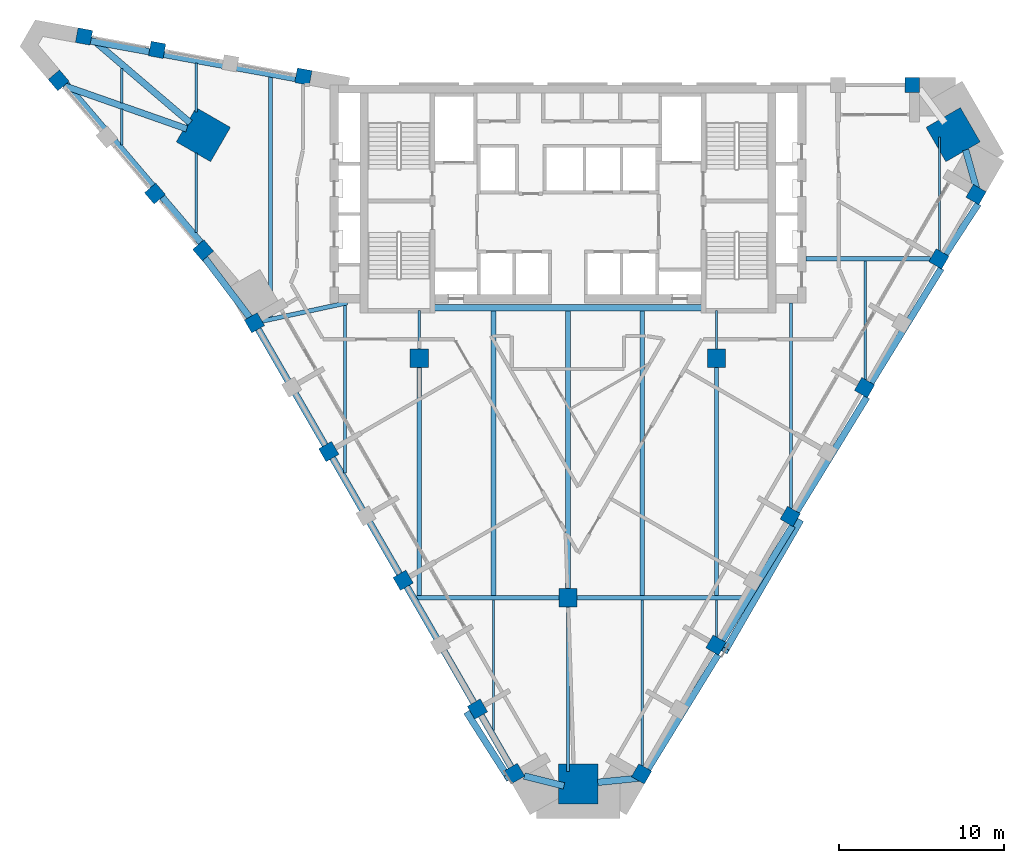
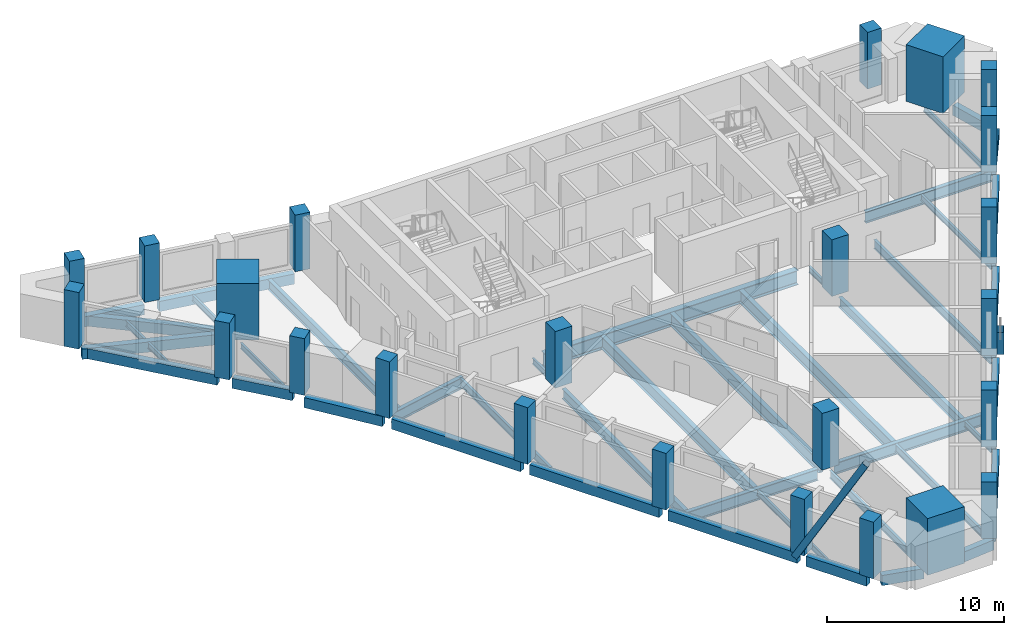
# One storey, part 1 of 9: 44 beams, 24 columns, 2 members.
"""IFC4 building model written with IfcOpenShell, lengths in metres."""

from ifc_helpers import new_model, si_unit, direction, frame, origin, origin_2d, place, context, subcontext, project, spatial, rectangle, hollow_rectangle, i_section, extrude, material, material_profile, profile_set, type_object, element, save


model = new_model("IFC4")

# Units and contexts
model_context = context("Model", 3, precision=1e-05, world=origin(), true_north=direction((0.0, 1.0)))
body_context = subcontext(model_context, "Body", "Model", "MODEL_VIEW")
ifc_project = project(units=[si_unit("LENGTHUNIT", "METRE"), si_unit("AREAUNIT", "SQUARE_METRE"), si_unit("VOLUMEUNIT", "CUBIC_METRE"), si_unit("PLANEANGLEUNIT", "RADIAN"), si_unit("MASSUNIT", "GRAM", prefix="KILO")], contexts=[model_context])

# Site, building, storey
site_placement = place(None, origin())
site = spatial("IfcSite", under=ifc_project, at=site_placement, CompositionType="ELEMENT")
building_placement = place(site_placement, origin())
building = spatial("IfcBuilding", under=site, at=building_placement, Name="Calabash Gate Tower", CompositionType="ELEMENT")
storey_placement = place(building_placement, frame((0.0, 0.0, 219.800048828125)))
storey = spatial("IfcBuildingStorey", under=building, at=storey_placement, Name="L52", CompositionType="ELEMENT", Elevation=219.800048828125)

# Columns
ifc_material_1 = material(Name="Concrete C60/75", Category="concrete")
ifc_material_profile_1 = material_profile(ifc_material_1, rectangle(XDim=1.10009765625, YDim=1.10009765625, at=origin_2d()))
ifc_profile_set_1 = profile_set([ifc_material_profile_1], Name="Concrete C60/75")
column_type_1 = type_object("IfcColumnType", Name="Interior column RC 1100x1100 Concrete C60/75", PredefinedType="COLUMN", material=ifc_profile_set_1)
for number, where, z_axis, x_axis, name in (
    (1, (-9.0, 2.5, 0.0), (0.0, 0.0, 1.0), (1.0, 0.0, 0.0), "Interior column L52 I0"),
    (2, (9.0, 2.5, 0.0), (0.0, 0.0, 1.0), (1.0, 0.0, 0.0), "Interior column L52 I1"),
    (3, (0.0, -12.0, 0.0), (0.0, 0.0, 1.0), (1.0, 0.0, 0.0), "Interior column L52 I2"),
):
    element("IfcColumn", number, at=place(storey_placement, frame(where, z_axis=z_axis, x_axis=x_axis)), inside=storey, type_object=column_type_1, Name=name, PredefinedType="COLUMN", context=body_context, shape_type="SweptSolid", body=[
        extrude(rectangle(XDim=1.10009765625, YDim=1.10009765625, at=origin_2d()), origin(), (0.0, 0.0, 1.0), 3.89990234375),
    ])
ifc_material_2 = material(Name="Concrete C70/85", Category="concrete")
ifc_material_profile_2 = material_profile(ifc_material_2, rectangle(XDim=2.39990234375, YDim=2.39990234375, at=origin_2d()))
ifc_profile_set_2 = profile_set([ifc_material_profile_2], Name="Concrete C70/85")
column_type_2 = type_object("IfcColumnType", Name="Mega column RC 2400x2400 Concrete C70/85", PredefinedType="COLUMN", material=ifc_profile_set_2)
for number, where, z_axis, x_axis, name in (
    (4, (-22.070068359375, 16.0380859375, 0.0), (0.0, 0.0, 1.0), (0.866025421238, -0.49999996977, 0.0), "Mega column L52 NW"),
    (5, (23.321044921875, 16.0380859375, 0.0), (0.0, 0.0, 1.0), (-0.866025421238, -0.49999996977, 0.0), "Mega column L52 NE"),
    (6, (0.6259765625, -23.27197265625, 0.0), (0.0, 0.0, 1.0), (0.0, 1.0, 0.0), "Mega column L52 S"),
):
    element("IfcColumn", number, at=place(storey_placement, frame(where, z_axis=z_axis, x_axis=x_axis)), inside=storey, type_object=column_type_2, Name=name, PredefinedType="COLUMN", context=body_context, shape_type="SweptSolid", body=[
        extrude(rectangle(XDim=2.39990234375, YDim=2.39990234375, at=origin_2d()), origin(), (0.0, 0.0, 1.0), 3.89990234375),
    ])
ifc_material_3 = material(Name="Concrete C60/75", Category="concrete")
ifc_material_profile_3 = material_profile(ifc_material_3, rectangle(XDim=0.89990234375, YDim=0.89990234375, at=origin_2d()))
ifc_profile_set_3 = profile_set([ifc_material_profile_3], Name="Concrete C60/75")
column_type_3 = type_object("IfcColumnType", Name="Perimeter column RC 900x900 Concrete C60/75", PredefinedType="COLUMN", material=ifc_profile_set_3)
for number, where, z_axis, x_axis, name in (
    (7, (-18.97412109375, 4.64599609375, 0.0), (0.0, 0.0, 1.0), (0.5, -0.866025403784, 0.0), "Perimeter column L52 P00"),
    (8, (-14.47412109375, -3.14794921875, 0.0), (0.0, 0.0, 1.0), (0.5, -0.866025403784, 0.0), "Perimeter column L52 P01"),
    (9, (-9.97412109375, -10.94189453125, 0.0), (0.0, 0.0, 1.0), (0.5, -0.866025403784, 0.0), "Perimeter column L52 P02"),
    (10, (-5.47412109375, -18.736083984375, 0.0), (0.0, 0.0, 1.0), (0.5, -0.866025403784, 0.0), "Perimeter column L52 P03"),
    (11, (-3.22412109375, -22.633056640625, 0.0), (0.0, 0.0, 1.0), (0.5, -0.866025403784, 0.0), "Perimeter column L52 P25"),
    (12, (4.458984375, -22.660888671875, 0.0), (0.0, 0.0, 1.0), (0.5, 0.866025403784, 0.0), "Perimeter column L52 P08"),
    (13, (8.958984375, -14.866943359375, 0.0), (0.0, 0.0, 1.0), (0.5, 0.866025403784, 0.0), "Perimeter column L52 P09"),
    (14, (13.458984375, -7.072998046875, 0.0), (0.0, 0.0, 1.0), (0.5, 0.866025403784, 0.0), "Perimeter column L52 P10"),
    (15, (17.958984375, 0.721923828125, 0.0), (0.0, 0.0, 1.0), (0.5, 0.866025403784, 0.0), "Perimeter column L52 P11"),
    (16, (22.458984375, 8.51611328125, 0.0), (0.0, 0.0, 1.0), (0.5, 0.866025403784, 0.0), "Perimeter column L52 P12"),
    (17, (24.708984375, 12.4130859375, 0.0), (0.0, 0.0, 1.0), (0.5, 0.866025403784, 0.0), "Perimeter column L52 P13"),
    (18, (20.843994140625, 19.052978515625, 0.0), (0.0, 0.0, 1.0), (-1.0, 0.0, 0.0), "Perimeter column L52 P24"),
    (19, (-16.012939453125, 19.551025390625, 0.0), (0.0, 0.0, 1.0), (-0.983669930074, 0.179981856499, 0.0), "Perimeter column L52 P31"),
    (20, (-24.865966796875, 21.1708984375, 0.0), (0.0, 0.0, 1.0), (-0.983669930074, 0.179981856499, 0.0), "Perimeter column L52 P32"),
    (21, (-29.29296875, 21.97998046875, 0.0), (0.0, 0.0, 1.0), (-0.983669930074, 0.179981856499, 0.0), "Perimeter column L52 P33"),
    (22, (-30.827880859375, 19.322021484375, 0.0), (0.0, 0.0, 1.0), (0.647703824985, -0.761892220133, 0.0), "Perimeter column L52 P34"),
    (23, (-24.998046875, 12.467041015625, 0.0), (0.0, 0.0, 1.0), (0.647703824985, -0.761892220133, 0.0), "Perimeter column L52 P20"),
    (24, (-22.083984375, 9.037109375, 0.0), (0.0, 0.0, 1.0), (0.647703824985, -0.761892220133, 0.0), "Perimeter column L52 P35"),
):
    element("IfcColumn", number, at=place(storey_placement, frame(where, z_axis=z_axis, x_axis=x_axis)), inside=storey, type_object=column_type_3, Name=name, PredefinedType="COLUMN", context=body_context, shape_type="SweptSolid", body=[
        extrude(rectangle(XDim=0.89990234375, YDim=0.89990234375, at=origin_2d()), origin(), (0.0, 0.0, 1.0), 3.89990234375),
    ])

# Beams
ifc_material_4 = material(Name="Concrete C50/60", Category="concrete")
ifc_material_profile_4 = material_profile(ifc_material_4, rectangle(XDim=0.39990234375, YDim=0.699951171875, at=origin_2d()))
ifc_profile_set_4 = profile_set([ifc_material_profile_4], Name="Concrete C50/60")
beam_type_1 = type_object("IfcBeamType", Name="Edge beam RC 400x700 Concrete C50/60", PredefinedType="BEAM", material=ifc_profile_set_4)
beam_1_placement = place(storey_placement, frame((-14.260986328125, -3.51611328125, -0.52001953125), z_axis=(0.50008326424, -0.865977325816, 0.0), x_axis=(0.865977325816, 0.50008326424, 0.0)))
element("IfcBeam", 25, at=beam_1_placement, inside=storey, type_object=beam_type_1, Name="Edge beam L52 1", PredefinedType="BEAM", context=body_context, shape_type="SweptSolid", body=[
    extrude(rectangle(XDim=0.39990234375, YDim=0.699951171875, at=origin_2d()), origin(), (0.0, 0.0, 1.0), 8.41455078125),
])
beam_2_placement = place(storey_placement, frame((-9.760986328125, -11.31005859375, -0.52001953125), z_axis=(0.49997020258, -0.86604260665, 0.0), x_axis=(0.86604260665, 0.49997020258, 0.0)))
element("IfcBeam", 26, at=beam_2_placement, inside=storey, type_object=beam_type_1, Name="Edge beam L52 2", PredefinedType="BEAM", context=body_context, shape_type="SweptSolid", body=[
    extrude(rectangle(XDim=0.39990234375, YDim=0.699951171875, at=origin_2d()), origin(), (0.0, 0.0, 1.0), 8.41650390625),
])
beam_3_placement = place(storey_placement, frame((-5.260986328125, -19.10400390625, -0.52001953125), z_axis=(0.49981236974, -0.866133705068, 0.0), x_axis=(0.866133705068, 0.49981236974, 0.0)))
element("IfcBeam", 27, at=beam_3_placement, inside=storey, type_object=beam_type_1, Name="Edge beam L52 3", PredefinedType="BEAM", context=body_context, shape_type="SweptSolid", body=[
    extrude(rectangle(XDim=0.39990234375, YDim=0.699951171875, at=origin_2d()), origin(), (0.0, 0.0, 1.0), 3.91748046875),
])
beam_4_placement = place(storey_placement, frame((-2.64111328125, -22.7890625, -0.52001953125), z_axis=(0.970258111546, -0.242072710109, 0.0), x_axis=(0.242072710109, 0.970258111546, 0.0)))
element("IfcBeam", 28, at=beam_4_placement, inside=storey, type_object=beam_type_1, Name="Edge beam L52 4", PredefinedType="BEAM", context=body_context, shape_type="SweptSolid", body=[
    extrude(rectangle(XDim=0.39990234375, YDim=0.699951171875, at=origin_2d()), origin(), (0.0, 0.0, 1.0), 2.48193359375),
])
beam_5_placement = place(storey_placement, frame((1.802978515625, -23.173095703125, -0.52001953125), z_axis=(0.994956996176, 0.100302421506, 0.0), x_axis=(-0.100302421506, 0.994956996176, 0.0)))
element("IfcBeam", 29, at=beam_5_placement, inside=storey, type_object=beam_type_1, Name="Edge beam L52 5", PredefinedType="BEAM", context=body_context, shape_type="SweptSolid", body=[
    extrude(rectangle(XDim=0.39990234375, YDim=0.699951171875, at=origin_2d()), origin(), (0.0, 0.0, 1.0), 2.7236328125),
])
beam_6_placement = place(storey_placement, frame((4.8369140625, -22.383056640625, -0.52001953125), z_axis=(0.522914785384, 0.852384964219, 0.0), x_axis=(-0.852384964219, 0.522914785384, 0.0)))
element("IfcBeam", 30, at=beam_6_placement, inside=storey, type_object=beam_type_1, Name="Edge beam L52 6", PredefinedType="BEAM", context=body_context, shape_type="SweptSolid", body=[
    extrude(rectangle(XDim=0.39990234375, YDim=0.699951171875, at=origin_2d()), origin(), (0.0, 0.0, 1.0), 8.146728515625),
])
beam_7_placement = place(storey_placement, frame((9.3369140625, -14.591064453125, -0.52001953125), z_axis=(0.522701135347, 0.852515995807, 0.0), x_axis=(-0.852515995807, 0.522701135347, 0.0)))
element("IfcBeam", 31, at=beam_7_placement, inside=storey, type_object=beam_type_1, Name="Edge beam L52 7", PredefinedType="BEAM", context=body_context, shape_type="SweptSolid", body=[
    extrude(rectangle(XDim=0.39990234375, YDim=0.699951171875, at=origin_2d()), origin(), (0.0, 0.0, 1.0), 8.14990234375),
])
beam_8_placement = place(storey_placement, frame((13.8369140625, -6.797119140625, -0.52001953125), z_axis=(0.522807942643, 0.852450500093, 0.0), x_axis=(-0.852450500093, 0.522807942643, 0.0)))
element("IfcBeam", 32, at=beam_8_placement, inside=storey, type_object=beam_type_1, Name="Edge beam L52 8", PredefinedType="BEAM", context=body_context, shape_type="SweptSolid", body=[
    extrude(rectangle(XDim=0.39990234375, YDim=0.699951171875, at=origin_2d()), origin(), (0.0, 0.0, 1.0), 8.1484375),
])
beam_9_placement = place(storey_placement, frame((18.3369140625, 0.998046875, -0.52001953125), z_axis=(0.522861359582, 0.852417737178, 0.0), x_axis=(-0.852417737178, 0.522861359582, 0.0)))
element("IfcBeam", 33, at=beam_9_placement, inside=storey, type_object=beam_type_1, Name="Edge beam L52 9", PredefinedType="BEAM", context=body_context, shape_type="SweptSolid", body=[
    extrude(rectangle(XDim=0.39990234375, YDim=0.699951171875, at=origin_2d()), origin(), (0.0, 0.0, 1.0), 8.1474609375),
])
beam_10_placement = place(storey_placement, frame((22.846923828125, 8.785888671875, -0.52001953125), z_axis=(0.545171710291, 0.838324403974, 0.0), x_axis=(-0.838324403974, 0.545171710291, 0.0)))
element("IfcBeam", 34, at=beam_10_placement, inside=storey, type_object=beam_type_1, Name="Edge beam L52 10", PredefinedType="BEAM", context=body_context, shape_type="SweptSolid", body=[
    extrude(rectangle(XDim=0.39990234375, YDim=0.699951171875, at=origin_2d()), origin(), (0.0, 0.0, 1.0), 3.650146484375),
])
beam_11_placement = place(storey_placement, frame((24.85693359375, 12.346923828125, -0.52001953125), z_axis=(-0.270121095734, 0.962826356951, 0.0), x_axis=(-0.962826356951, -0.270121095734, 0.0)))
element("IfcBeam", 35, at=beam_11_placement, inside=storey, type_object=beam_type_1, Name="Edge beam L52 11", PredefinedType="BEAM", context=body_context, shape_type="SweptSolid", body=[
    extrude(rectangle(XDim=0.39990234375, YDim=0.699951171875, at=origin_2d()), origin(), (0.0, 0.0, 1.0), 2.8759765625),
])
beam_12_placement = place(storey_placement, frame((-16.491943359375, 19.43701171875, -0.52001953125), z_axis=(-0.983710376503, 0.179760660767, 0.0), x_axis=(-0.179760660767, -0.983710376503, 0.0)))
element("IfcBeam", 36, at=beam_12_placement, inside=storey, type_object=beam_type_1, Name="Edge beam L52 13", PredefinedType="BEAM", context=body_context, shape_type="SweptSolid", body=[
    extrude(rectangle(XDim=0.39990234375, YDim=0.699951171875, at=origin_2d()), origin(), (0.0, 0.0, 1.0), 8.099853515625),
])
beam_13_placement = place(storey_placement, frame((-25.343017578125, 21.056884765625, -0.52001953125), z_axis=(-0.983780846892, 0.179374594879, 0.0), x_axis=(-0.179374594879, -0.983780846892, 0.0)))
element("IfcBeam", 37, at=beam_13_placement, inside=storey, type_object=beam_type_1, Name="Edge beam L52 14", PredefinedType="BEAM", context=body_context, shape_type="SweptSolid", body=[
    extrude(rectangle(XDim=0.39990234375, YDim=0.699951171875, at=origin_2d()), origin(), (0.0, 0.0, 1.0), 3.601318359375),
])
beam_14_placement = place(storey_placement, frame((-28.8720703125, 21.884033203125, -0.52001953125), z_axis=(0.760395602706, -0.649460181524, 0.0), x_axis=(0.649460181524, 0.760395602706, 0.0)))
element("IfcBeam", 38, at=beam_14_placement, inside=storey, type_object=beam_type_1, Name="Edge beam L52 15", PredefinedType="BEAM", context=body_context, shape_type="SweptSolid", body=[
    extrude(rectangle(XDim=0.39990234375, YDim=0.699951171875, at=origin_2d()), origin(), (0.0, 0.0, 1.0), 7.905029296875),
])
beam_15_placement = place(storey_placement, frame((-23.070068359375, 16.387939453125, -0.52001953125), z_axis=(-0.943576970451, 0.331153289028, 0.0), x_axis=(-0.331153289028, -0.943576970451, 0.0)))
element("IfcBeam", 39, at=beam_15_placement, inside=storey, type_object=beam_type_1, Name="Edge beam L52 16", PredefinedType="BEAM", context=body_context, shape_type="SweptSolid", body=[
    extrude(rectangle(XDim=0.39990234375, YDim=0.699951171875, at=origin_2d()), origin(), (0.0, 0.0, 1.0), 7.9091796875),
])
beam_16_placement = place(storey_placement, frame((-30.384033203125, 19.10888671875, -0.52001953125), z_axis=(0.647777896435, -0.761829243919, 0.0), x_axis=(0.761829243919, 0.647777896435, 0.0)))
element("IfcBeam", 40, at=beam_16_placement, inside=storey, type_object=beam_type_1, Name="Edge beam L52 17", PredefinedType="BEAM", context=body_context, shape_type="SweptSolid", body=[
    extrude(rectangle(XDim=0.39990234375, YDim=0.699951171875, at=origin_2d()), origin(), (0.0, 0.0, 1.0), 8.10009765625),
])
beam_17_placement = place(storey_placement, frame((-24.553955078125, 12.251953125, -0.52001953125), z_axis=(0.647579511056, -0.761997885076, 0.0), x_axis=(0.761997885076, 0.647579511056, 0.0)))
element("IfcBeam", 41, at=beam_17_placement, inside=storey, type_object=beam_type_1, Name="Edge beam L52 18", PredefinedType="BEAM", context=body_context, shape_type="SweptSolid", body=[
    extrude(rectangle(XDim=0.39990234375, YDim=0.699951171875, at=origin_2d()), origin(), (0.0, 0.0, 1.0), 3.599609375),
])
beam_18_placement = place(storey_placement, frame((-21.97705078125, 8.56689453125, -0.52001953125), z_axis=(0.603113036722, -0.797655730836, 0.0), x_axis=(0.797655730836, 0.603113036722, 0.0)))
element("IfcBeam", 42, at=beam_18_placement, inside=storey, type_object=beam_type_1, Name="Edge beam L52 19", PredefinedType="BEAM", context=body_context, shape_type="SweptSolid", body=[
    extrude(rectangle(XDim=0.39990234375, YDim=0.699951171875, at=origin_2d()), origin(), (0.0, 0.0, 1.0), 4.77392578125),
])
beam_19_placement = place(storey_placement, frame((-18.760986328125, 4.278076171875, -0.52001953125), z_axis=(0.49997020258, -0.86604260665, 0.0), x_axis=(0.86604260665, 0.49997020258, 0.0)))
element("IfcBeam", 43, at=beam_19_placement, inside=storey, type_object=beam_type_1, Name="Edge beam L52 20", PredefinedType="BEAM", context=body_context, shape_type="SweptSolid", body=[
    extrude(rectangle(XDim=0.39990234375, YDim=0.699951171875, at=origin_2d()), origin(), (0.0, 0.0, 1.0), 8.41650390625),
])
ifc_material_5 = material(Name="Steel ASTM A992 Gr50", Category="steel")
ifc_material_profile_5 = material_profile(ifc_material_5, i_section(OverallWidth=0.1396484375, OverallDepth=0.398681640625, WebThickness=0.00634765625, FlangeThickness=0.0087890625, FilletRadius=0.01025390625, at=origin_2d()))
ifc_profile_set_5 = profile_set([ifc_material_profile_5], Name="Steel ASTM A992 Gr50")
beam_type_2 = type_object("IfcBeamType", Name="Floor beam W16x26 ASTM A992 Gr50", PredefinedType="BEAM", material=ifc_profile_set_5)
beam_20_placement = place(storey_placement, frame((-27.0, 15.416015625, -0.369140625), z_axis=(0.0, 1.0, 0.0), x_axis=(-1.0, 0.0, 0.0)))
element("IfcBeam", 44, at=beam_20_placement, inside=storey, type_object=beam_type_2, Name="Floor beam L52 1", PredefinedType="BEAM", context=body_context, shape_type="SweptSolid", body=[
    extrude(i_section(OverallWidth=0.1396484375, OverallDepth=0.398681640625, WebThickness=0.00634765625, FlangeThickness=0.0087890625, FilletRadius=0.01025390625, at=origin_2d()), origin(), (0.0, 0.0, 1.0), 2.1708984375),
])
beam_21_placement = place(storey_placement, frame((-27.0, 17.947021484375, -0.369140625), z_axis=(0.0, 1.0, 0.0), x_axis=(-1.0, 0.0, 0.0)))
element("IfcBeam", 45, at=beam_21_placement, inside=storey, type_object=beam_type_2, Name="Floor beam L52 2", PredefinedType="BEAM", context=body_context, shape_type="SweptSolid", body=[
    extrude(i_section(OverallWidth=0.1396484375, OverallDepth=0.398681640625, WebThickness=0.00634765625, FlangeThickness=0.0087890625, FilletRadius=0.01025390625, at=origin_2d()), origin(), (0.0, 0.0, 1.0), 2.096923828125),
])
beam_22_placement = place(storey_placement, frame((-22.5, 10.1220703125, -0.369140625), z_axis=(0.0, 1.0, 0.0), x_axis=(-1.0, 0.0, 0.0)))
element("IfcBeam", 46, at=beam_22_placement, inside=storey, type_object=beam_type_2, Name="Floor beam L52 3", PredefinedType="BEAM", context=body_context, shape_type="SweptSolid", body=[
    extrude(i_section(OverallWidth=0.1396484375, OverallDepth=0.398681640625, WebThickness=0.00634765625, FlangeThickness=0.0087890625, FilletRadius=0.01025390625, at=origin_2d()), origin(), (0.0, 0.0, 1.0), 4.802001953125),
])
beam_23_placement = place(storey_placement, frame((-22.5, 17.402099609375, -0.369140625), z_axis=(0.0, 1.0, 0.0), x_axis=(-1.0, 0.0, 0.0)))
element("IfcBeam", 47, at=beam_23_placement, inside=storey, type_object=beam_type_2, Name="Floor beam L52 4", PredefinedType="BEAM", context=body_context, shape_type="SweptSolid", body=[
    extrude(i_section(OverallWidth=0.1396484375, OverallDepth=0.398681640625, WebThickness=0.00634765625, FlangeThickness=0.0087890625, FilletRadius=0.01025390625, at=origin_2d()), origin(), (0.0, 0.0, 1.0), 2.9609375),
])
beam_24_placement = place(storey_placement, frame((-9.0, 3.050048828125, -0.369140625), z_axis=(0.0, 1.0, 0.0), x_axis=(-1.0, 0.0, 0.0)))
element("IfcBeam", 48, at=beam_24_placement, inside=storey, type_object=beam_type_2, Name="Floor beam L52 8", PredefinedType="BEAM", context=body_context, shape_type="SweptSolid", body=[
    extrude(i_section(OverallWidth=0.1396484375, OverallDepth=0.398681640625, WebThickness=0.00634765625, FlangeThickness=0.0087890625, FilletRadius=0.01025390625, at=origin_2d()), origin(), (0.0, 0.0, 1.0), 2.35302734375),
])
beam_25_placement = place(storey_placement, frame((-4.5, -20.033935546875, -0.369140625), z_axis=(0.0, 1.0, 0.0), x_axis=(-1.0, 0.0, 0.0)))
element("IfcBeam", 49, at=beam_25_placement, inside=storey, type_object=beam_type_2, Name="Floor beam L52 9", PredefinedType="BEAM", context=body_context, shape_type="SweptSolid", body=[
    extrude(i_section(OverallWidth=0.1396484375, OverallDepth=0.398681640625, WebThickness=0.00634765625, FlangeThickness=0.0087890625, FilletRadius=0.01025390625, at=origin_2d()), origin(), (0.0, 0.0, 1.0), 7.90087890625),
])
beam_26_placement = place(storey_placement, frame((9.0, -15.10791015625, -0.369140625), z_axis=(0.0, 1.0, 0.0), x_axis=(-1.0, 0.0, 0.0)))
element("IfcBeam", 50, at=beam_26_placement, inside=storey, type_object=beam_type_2, Name="Floor beam L52 15", PredefinedType="BEAM", context=body_context, shape_type="SweptSolid", body=[
    extrude(i_section(OverallWidth=0.1396484375, OverallDepth=0.398681640625, WebThickness=0.00634765625, FlangeThickness=0.0087890625, FilletRadius=0.01025390625, at=origin_2d()), origin(), (0.0, 0.0, 1.0), 2.974853515625),
])
beam_27_placement = place(storey_placement, frame((9.0, 3.050048828125, -0.369140625), z_axis=(0.0, 1.0, 0.0), x_axis=(-1.0, 0.0, 0.0)))
element("IfcBeam", 51, at=beam_27_placement, inside=storey, type_object=beam_type_2, Name="Floor beam L52 17", PredefinedType="BEAM", context=body_context, shape_type="SweptSolid", body=[
    extrude(i_section(OverallWidth=0.1396484375, OverallDepth=0.398681640625, WebThickness=0.00634765625, FlangeThickness=0.0087890625, FilletRadius=0.01025390625, at=origin_2d()), origin(), (0.0, 0.0, 1.0), 2.35302734375),
])
beam_28_placement = place(storey_placement, frame((18.0, 0.47998046875, -0.369140625), z_axis=(0.0, 1.0, 0.0), x_axis=(-1.0, 0.0, 0.0)))
element("IfcBeam", 52, at=beam_28_placement, inside=storey, type_object=beam_type_2, Name="Floor beam L52 19", PredefinedType="BEAM", context=body_context, shape_type="SweptSolid", body=[
    extrude(i_section(OverallWidth=0.1396484375, OverallDepth=0.398681640625, WebThickness=0.00634765625, FlangeThickness=0.0087890625, FilletRadius=0.01025390625, at=origin_2d()), origin(), (0.0, 0.0, 1.0), 7.902099609375),
])
beam_29_placement = place(storey_placement, frame((22.5, 8.634033203125, -0.369140625), z_axis=(0.0, 1.0, 0.0), x_axis=(-1.0, 0.0, 0.0)))
element("IfcBeam", 53, at=beam_29_placement, inside=storey, type_object=beam_type_2, Name="Floor beam L52 20", PredefinedType="BEAM", context=body_context, shape_type="SweptSolid", body=[
    extrude(i_section(OverallWidth=0.1396484375, OverallDepth=0.398681640625, WebThickness=0.00634765625, FlangeThickness=0.0087890625, FilletRadius=0.01025390625, at=origin_2d()), origin(), (0.0, 0.0, 1.0), 7.259033203125),
])
ifc_material_6 = material(Name="Steel ASTM A992 Gr50", Category="steel")
ifc_material_profile_6 = material_profile(ifc_material_6, i_section(OverallWidth=0.166015625, OverallDepth=0.5283203125, WebThickness=0.009765625, FlangeThickness=0.013671875, FilletRadius=0.0126953125, at=origin_2d()))
ifc_profile_set_6 = profile_set([ifc_material_profile_6], Name="Steel ASTM A992 Gr50")
beam_type_3 = type_object("IfcBeamType", Name="Floor beam W21x50 ASTM A992 Gr50", PredefinedType="BEAM", material=ifc_profile_set_6)
beam_30_placement = place(storey_placement, frame((-13.5, -4.446044921875, -0.43408203125), z_axis=(0.0, 1.0, 0.0), x_axis=(-1.0, 0.0, 0.0)))
element("IfcBeam", 54, at=beam_30_placement, inside=storey, type_object=beam_type_3, Name="Floor beam L52 6", PredefinedType="BEAM", context=body_context, shape_type="SweptSolid", body=[
    extrude(i_section(OverallWidth=0.166015625, OverallDepth=0.5283203125, WebThickness=0.009765625, FlangeThickness=0.013671875, FilletRadius=0.0126953125, at=origin_2d()), origin(), (0.0, 0.0, 1.0), 10.170166015625),
])
beam_31_placement = place(storey_placement, frame((0.0, -22.50390625, -0.43408203125), z_axis=(0.0, 1.0, 0.0), x_axis=(-1.0, 0.0, 0.0)))
element("IfcBeam", 55, at=beam_31_placement, inside=storey, type_object=beam_type_3, Name="Floor beam L52 11", PredefinedType="BEAM", context=body_context, shape_type="SweptSolid", body=[
    extrude(i_section(OverallWidth=0.166015625, OverallDepth=0.5283203125, WebThickness=0.009765625, FlangeThickness=0.013671875, FilletRadius=0.0126953125, at=origin_2d()), origin(), (0.0, 0.0, 1.0), 9.953857421875),
])
beam_32_placement = place(storey_placement, frame((4.5, -22.802978515625, -0.43408203125), z_axis=(0.0, 1.0, 0.0), x_axis=(-1.0, 0.0, 0.0)))
element("IfcBeam", 56, at=beam_32_placement, inside=storey, type_object=beam_type_3, Name="Floor beam L52 13", PredefinedType="BEAM", context=body_context, shape_type="SweptSolid", body=[
    extrude(i_section(OverallWidth=0.166015625, OverallDepth=0.5283203125, WebThickness=0.009765625, FlangeThickness=0.013671875, FilletRadius=0.0126953125, at=origin_2d()), origin(), (0.0, 0.0, 1.0), 10.669921875),
])
ifc_material_7 = material(Name="Steel ASTM A992 Gr50", Category="steel")
ifc_material_profile_7 = material_profile(ifc_material_7, i_section(OverallWidth=0.1787109375, OverallDepth=0.60205078125, WebThickness=0.010986328125, FlangeThickness=0.014892578125, FilletRadius=0.0126953125, at=origin_2d()))
ifc_profile_set_7 = profile_set([ifc_material_profile_7], Name="Steel ASTM A992 Gr50")
beam_type_4 = type_object("IfcBeamType", Name="Floor beam W24x62 ASTM A992 Gr50", PredefinedType="BEAM", material=ifc_profile_set_7)
beam_33_placement = place(storey_placement, frame((13.5, -7.31396484375, -0.470947265625), z_axis=(0.0, 1.0, 0.0), x_axis=(-1.0, 0.0, 0.0)))
element("IfcBeam", 57, at=beam_33_placement, inside=storey, type_object=beam_type_4, Name="Floor beam L52 18", PredefinedType="BEAM", context=body_context, shape_type="SweptSolid", body=[
    extrude(i_section(OverallWidth=0.1787109375, OverallDepth=0.60205078125, WebThickness=0.010986328125, FlangeThickness=0.014892578125, FilletRadius=0.0126953125, at=origin_2d()), origin(), (0.0, 0.0, 1.0), 13.1669921875),
])
ifc_material_8 = material(Name="Steel ASTM A992 Gr50", Category="steel")
ifc_material_profile_8 = material_profile(ifc_material_8, i_section(OverallWidth=0.25390625, OverallDepth=0.67822265625, WebThickness=0.01171875, FlangeThickness=0.016357421875, FilletRadius=0.01513671875, at=origin_2d()))
ifc_profile_set_8 = profile_set([ifc_material_profile_8], Name="Steel ASTM A992 Gr50")
beam_type_5 = type_object("IfcBeamType", Name="Floor beam W27x84 ASTM A992 Gr50", PredefinedType="BEAM", material=ifc_profile_set_8)
beam_34_placement = place(storey_placement, frame((-18.0, 4.9609375, -0.509033203125), z_axis=(0.0, 1.0, 0.0), x_axis=(-1.0, 0.0, 0.0)))
element("IfcBeam", 58, at=beam_34_placement, inside=storey, type_object=beam_type_5, Name="Floor beam L52 5", PredefinedType="BEAM", context=body_context, shape_type="SweptSolid", body=[
    extrude(i_section(OverallWidth=0.25390625, OverallDepth=0.67822265625, WebThickness=0.01171875, FlangeThickness=0.016357421875, FilletRadius=0.01513671875, at=origin_2d()), origin(), (0.0, 0.0, 1.0), 14.5791015625),
])
beam_35_placement = place(storey_placement, frame((-9.0, -11.8798828125, -0.509033203125), z_axis=(0.0, 1.0, 0.0), x_axis=(-1.0, 0.0, 0.0)))
element("IfcBeam", 59, at=beam_35_placement, inside=storey, type_object=beam_type_5, Name="Floor beam L52 7", PredefinedType="BEAM", context=body_context, shape_type="SweptSolid", body=[
    extrude(i_section(OverallWidth=0.25390625, OverallDepth=0.67822265625, WebThickness=0.01171875, FlangeThickness=0.016357421875, FilletRadius=0.01513671875, at=origin_2d()), origin(), (0.0, 0.0, 1.0), 13.829833984375),
])
beam_36_placement = place(storey_placement, frame((9.0, -11.866943359375, -0.509033203125), z_axis=(0.0, 1.0, 0.0), x_axis=(-1.0, 0.0, 0.0)))
element("IfcBeam", 60, at=beam_36_placement, inside=storey, type_object=beam_type_5, Name="Floor beam L52 16", PredefinedType="BEAM", context=body_context, shape_type="SweptSolid", body=[
    extrude(i_section(OverallWidth=0.25390625, OverallDepth=0.67822265625, WebThickness=0.01171875, FlangeThickness=0.016357421875, FilletRadius=0.01513671875, at=origin_2d()), origin(), (0.0, 0.0, 1.0), 13.81689453125),
])
ifc_material_9 = material(Name="Steel ASTM A992 Gr50", Category="steel")
ifc_material_profile_9 = material_profile(ifc_material_9, i_section(OverallWidth=0.2919921875, OverallDepth=0.845703125, WebThickness=0.015380859375, FlangeThickness=0.0244140625, FilletRadius=0.017822265625, at=origin_2d()))
ifc_profile_set_9 = profile_set([ifc_material_profile_9], Name="Steel ASTM A992 Gr50")
beam_type_6 = type_object("IfcBeamType", Name="Floor beam W33x141 ASTM A992 Gr50", PredefinedType="BEAM", material=ifc_profile_set_9)
beam_37_placement = place(storey_placement, frame((-4.5, -11.866943359375, -0.593017578125), z_axis=(0.0, 1.0, 0.0), x_axis=(-1.0, 0.0, 0.0)))
element("IfcBeam", 61, at=beam_37_placement, inside=storey, type_object=beam_type_6, Name="Floor beam L52 10", PredefinedType="BEAM", context=body_context, shape_type="SweptSolid", body=[
    extrude(i_section(OverallWidth=0.2919921875, OverallDepth=0.845703125, WebThickness=0.015380859375, FlangeThickness=0.0244140625, FilletRadius=0.017822265625, at=origin_2d()), origin(), (0.0, 0.0, 1.0), 17.218994140625),
])
beam_38_placement = place(storey_placement, frame((0.0, -11.449951171875, -0.593017578125), z_axis=(0.0, 1.0, 0.0), x_axis=(-1.0, 0.0, 0.0)))
element("IfcBeam", 62, at=beam_38_placement, inside=storey, type_object=beam_type_6, Name="Floor beam L52 12", PredefinedType="BEAM", context=body_context, shape_type="SweptSolid", body=[
    extrude(i_section(OverallWidth=0.2919921875, OverallDepth=0.845703125, WebThickness=0.015380859375, FlangeThickness=0.0244140625, FilletRadius=0.017822265625, at=origin_2d()), origin(), (0.0, 0.0, 1.0), 16.802001953125),
])
beam_39_placement = place(storey_placement, frame((4.5, -11.866943359375, -0.593017578125), z_axis=(0.0, 1.0, 0.0), x_axis=(-1.0, 0.0, 0.0)))
element("IfcBeam", 63, at=beam_39_placement, inside=storey, type_object=beam_type_6, Name="Floor beam L52 14", PredefinedType="BEAM", context=body_context, shape_type="SweptSolid", body=[
    extrude(i_section(OverallWidth=0.2919921875, OverallDepth=0.845703125, WebThickness=0.015380859375, FlangeThickness=0.0244140625, FilletRadius=0.017822265625, at=origin_2d()), origin(), (0.0, 0.0, 1.0), 17.218994140625),
])
ifc_material_10 = material(Name="Steel ASTM A992 Gr50", Category="steel")
ifc_material_profile_10 = material_profile(ifc_material_10, i_section(OverallWidth=0.2666015625, OverallDepth=0.77978515625, WebThickness=0.0166015625, FlangeThickness=0.030029296875, FilletRadius=0.0166015625, at=origin_2d()))
ifc_profile_set_10 = profile_set([ifc_material_profile_10], Name="Steel ASTM A992 Gr50")
beam_type_7 = type_object("IfcBeamType", Name="Girder W30x148 ASTM A992 Gr50", PredefinedType="BEAM", material=ifc_profile_set_10)
beam_40_placement = place(storey_placement, frame((-18.532958984375, 4.741943359375, -0.56005859375), z_axis=(0.977491590315, 0.210974384379, 0.0), x_axis=(-0.210974384379, 0.977491590315, 0.0)))
element("IfcBeam", 64, at=beam_40_placement, inside=storey, type_object=beam_type_7, Name="Girder L52 2", PredefinedType="BEAM", context=body_context, shape_type="SweptSolid", body=[
    extrude(i_section(OverallWidth=0.2666015625, OverallDepth=0.77978515625, WebThickness=0.0166015625, FlangeThickness=0.030029296875, FilletRadius=0.0166015625, at=origin_2d()), origin(), (0.0, 0.0, 1.0), 5.294189453125),
])
beam_41_placement = place(storey_placement, frame((22.64208984375, 8.51611328125, -0.56005859375), z_axis=(-1.0, 0.0, 0.0), x_axis=(0.0, -1.0, 0.0)))
element("IfcBeam", 65, at=beam_41_placement, inside=storey, type_object=beam_type_7, Name="Girder L52 3", PredefinedType="BEAM", context=body_context, shape_type="SweptSolid", body=[
    extrude(i_section(OverallWidth=0.2666015625, OverallDepth=0.77978515625, WebThickness=0.0166015625, FlangeThickness=0.030029296875, FilletRadius=0.0166015625, at=origin_2d()), origin(), (0.0, 0.0, 1.0), 8.2421875),
])
beam_42_placement = place(storey_placement, frame((-9.153076171875, -12.0, -0.56005859375), z_axis=(1.0, 0.0, 0.0), x_axis=(0.0, 1.0, 0.0)))
element("IfcBeam", 66, at=beam_42_placement, inside=storey, type_object=beam_type_7, Name="Girder L52 4", PredefinedType="BEAM", context=body_context, shape_type="SweptSolid", body=[
    extrude(i_section(OverallWidth=0.2666015625, OverallDepth=0.77978515625, WebThickness=0.0166015625, FlangeThickness=0.030029296875, FilletRadius=0.0166015625, at=origin_2d()), origin(), (0.0, 0.0, 1.0), 8.60302734375),
])
beam_43_placement = place(storey_placement, frame((0.550048828125, -12.0, -0.56005859375), z_axis=(1.0, 0.0, 0.0), x_axis=(0.0, 1.0, 0.0)))
element("IfcBeam", 67, at=beam_43_placement, inside=storey, type_object=beam_type_7, Name="Girder L52 5", PredefinedType="BEAM", context=body_context, shape_type="SweptSolid", body=[
    extrude(i_section(OverallWidth=0.2666015625, OverallDepth=0.77978515625, WebThickness=0.0166015625, FlangeThickness=0.030029296875, FilletRadius=0.0166015625, at=origin_2d()), origin(), (0.0, 0.0, 1.0), 10.156982421875),
])
ifc_material_11 = material(Name="Steel ASTM A992 Gr50", Category="steel")
ifc_material_profile_11 = material_profile(ifc_material_11, i_section(OverallWidth=0.4013671875, OverallDepth=1.000732421875, WebThickness=0.01904296875, FlangeThickness=0.0361328125, FilletRadius=0.030029296875, at=origin_2d()))
ifc_profile_set_11 = profile_set([ifc_material_profile_11], Name="Steel ASTM A992 Gr50")
beam_type_8 = type_object("IfcBeamType", Name="Girder W40x249 ASTM A992 Gr50", PredefinedType="BEAM", material=ifc_profile_set_11)
beam_44_placement = place(storey_placement, frame((-8.25, 5.552978515625, -0.670166015625), z_axis=(1.0, 0.0, 0.0), x_axis=(0.0, 1.0, 0.0)))
element("IfcBeam", 68, at=beam_44_placement, inside=storey, type_object=beam_type_8, Name="Girder L52 1", PredefinedType="BEAM", context=body_context, shape_type="SweptSolid", body=[
    extrude(i_section(OverallWidth=0.4013671875, OverallDepth=1.000732421875, WebThickness=0.01904296875, FlangeThickness=0.0361328125, FilletRadius=0.030029296875, at=origin_2d()), origin(), (0.0, 0.0, 1.0), 16.5),
])

# Members
ifc_material_12 = material(Name="Steel ASTM A500 Gr C", Category="steel")
ifc_material_profile_12 = material_profile(ifc_material_12, hollow_rectangle(XDim=0.406494140625, YDim=0.406494140625, WallThickness=0.015869140625, at=origin_2d()))
ifc_profile_set_12 = profile_set([ifc_material_profile_12], Name="Steel ASTM A500 Gr C")
member_type = type_object("IfcMemberType", Name="Mega-brace HSS16X16X.625 ASTM A500 Gr C", PredefinedType="BRACE", material=ifc_profile_set_12)
member_1_placement = place(storey_placement, frame((-6.039306640625, -19.06298828125, 0.0), z_axis=(0.268363919616, -0.421993522321, 0.86596897968), x_axis=(0.843822133641, 0.536622965198, 0.0)))
element("IfcMember", 69, at=member_1_placement, inside=storey, type_object=member_type, Name="Mega-brace SW Z4 31", PredefinedType="BRACE", context=body_context, shape_type="SweptSolid", body=[
    extrude(hollow_rectangle(XDim=0.406494140625, YDim=0.406494140625, WallThickness=0.015869140625, at=origin_2d()), origin(), (0.0, 0.0, 1.0), 9.00732421875),
])
member_2_placement = place(storey_placement, frame((14.02490234375, -7.399169921875, 0.0), z_axis=(-0.37783927133, -0.654454024331, 0.654925503457), x_axis=(0.866031096941, -0.499990139034, 0.0)))
element("IfcMember", 70, at=member_2_placement, inside=storey, type_object=member_type, Name="Mega-brace SE Z4 35", PredefinedType="BRACE", context=body_context, shape_type="SweptSolid", body=[
    extrude(hollow_rectangle(XDim=0.406494140625, YDim=0.406494140625, WallThickness=0.015869140625, at=origin_2d()), origin(), (0.0, 0.0, 1.0), 11.909912109375),
])

save(model, "model.ifc")
